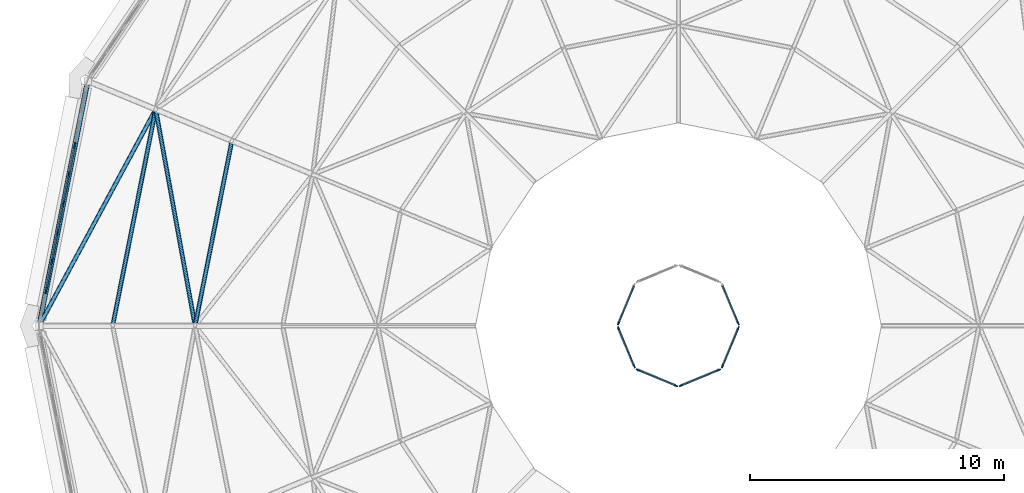
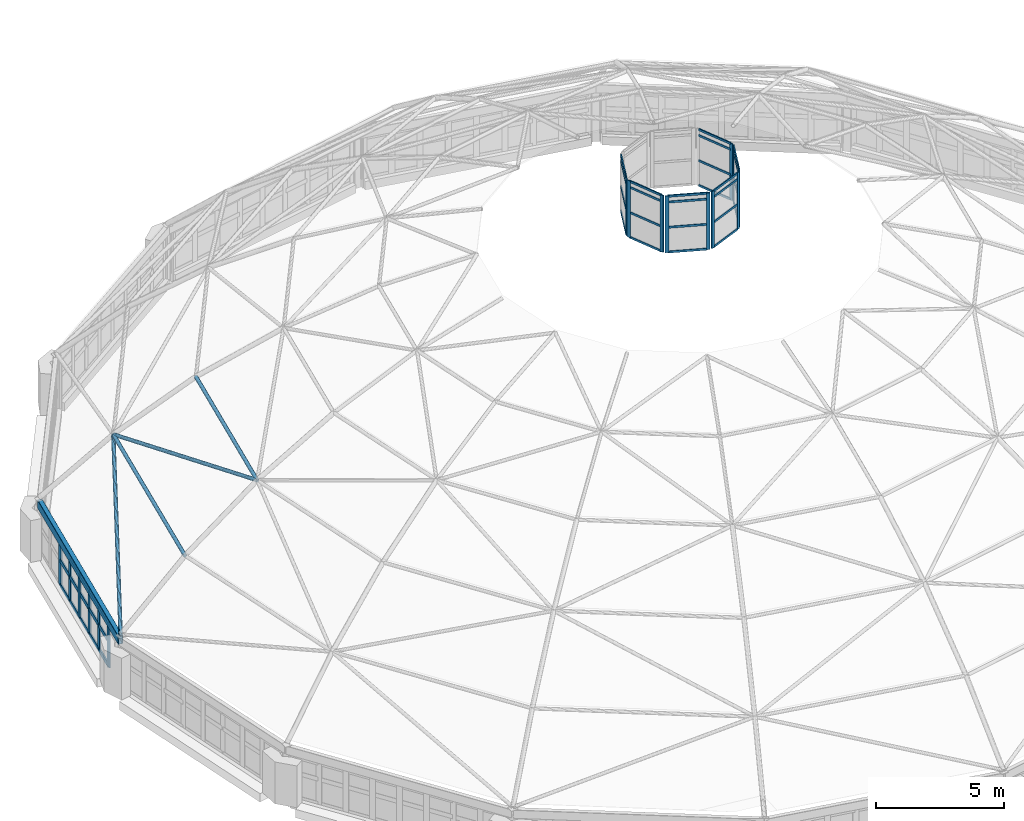
# One storey, part 18 of 68: 58 members, 1 beam, 7 elements without a shape of their own.
"""IFC4 building model written with IfcOpenShell, lengths in metres."""

from ifc_helpers import new_model, si_unit, direction, frame, origin, origin_2d, place, context, subcontext, project, spatial, rectangle, hollow_rectangle, hollow_circle, extrude, material, material_profile, profile_set, type_object, element, aggregate, save


model = new_model("IFC4")

# Units and contexts
model_context = context("Model", 3, precision=1e-05, world=origin(), true_north=direction((0.0, 1.0)))
body_context = subcontext(model_context, "Body", "Model", "MODEL_VIEW")
ifc_project = project(units=[si_unit("LENGTHUNIT", "METRE"), si_unit("AREAUNIT", "SQUARE_METRE"), si_unit("VOLUMEUNIT", "CUBIC_METRE"), si_unit("PLANEANGLEUNIT", "RADIAN"), si_unit("MASSUNIT", "GRAM", prefix="KILO")], contexts=[model_context])

# Site, building, storey
site_placement = place(None, origin())
site = spatial("IfcSite", under=ifc_project, at=site_placement, CompositionType="ELEMENT")
building_placement = place(site_placement, origin())
building = spatial("IfcBuilding", under=site, at=building_placement, Name="Kupolbacken Congress Centre", CompositionType="ELEMENT")
storey_placement = place(building_placement, frame((0.0, 0.0, 25.199951171875)))
storey = spatial("IfcBuildingStorey", under=building, at=storey_placement, Name="L07", CompositionType="ELEMENT", Elevation=25.199951171875)

# Beam
ifc_material_1 = material(Name="Steel S355", Category="steel")
ifc_material_profile_1 = material_profile(ifc_material_1, hollow_rectangle(XDim=0.199951171875, YDim=0.39990234375, WallThickness=0.012451171875, InnerFilletRadius=0.012451171875, OuterFilletRadius=0.018798828125, at=origin_2d()), Name="RHS 400 x 200 x 12.5")
ifc_profile_set_1 = profile_set([ifc_material_profile_1], Name="Steel S355")
beam_type = type_object("IfcBeamType", Name="B19 ring beam RHS 400 x 200 x 12.5", PredefinedType="BEAM", material=ifc_profile_set_1)
beam_placement = place(storey_placement, frame((19.914306640625, 96.024169921875, 2.590087890625), z_axis=(-0.195080454914, -0.98078724304, 0.0), x_axis=(0.98078724304, -0.195080454914, 0.0)))
element("IfcBeam", 1, at=beam_placement, inside=storey, type_object=beam_type, Name="DM/RB/08", PredefinedType="BEAM", context=body_context, shape_type="SweptSolid", body=[
    extrude(hollow_rectangle(XDim=0.199951171875, YDim=0.39990234375, WallThickness=0.012451171875, InnerFilletRadius=0.012451171875, OuterFilletRadius=0.018798828125, at=origin_2d()), origin(), (0.0, 0.0, 1.0), 9.79296875),
])

# Members
ifc_material_2 = material(Name="Steel S355", Category="steel")
ifc_material_profile_2 = material_profile(ifc_material_2, hollow_circle(Radius=0.084228515625, WallThickness=0.008056640625, at=origin_2d()), Name="CHS 168.3 x 8")
ifc_profile_set_2 = profile_set([ifc_material_profile_2], Name="Steel S355")
member_type_1 = type_object("IfcMemberType", Name="M16 dome rib CHS 168.3 x 8", PredefinedType="BRACE", material=ifc_profile_set_2)
member_1_placement = place(storey_placement, frame((22.597412109375, 94.933837890625, 5.60009765625), z_axis=(-0.456427951351, -0.847243324277, -0.271757750016), x_axis=(0.880375652669, -0.474277039491, 0.0)))
element("IfcMember", 2, at=member_1_placement, inside=storey, type_object=member_type_1, Name="DM/DIA01-08", PredefinedType="BRACE", context=body_context, shape_type="SweptSolid", body=[
    extrude(hollow_circle(Radius=0.084228515625, WallThickness=0.008056640625, at=origin_2d()), origin(), (0.0, 0.0, 1.0), 10.072509765625),
])
member_2_placement = place(storey_placement, frame((22.597412109375, 94.933837890625, 5.60009765625), z_axis=(0.172243352288, -0.946810249917, 0.271813499011), x_axis=(0.983852342095, 0.178982035285, 0.0)))
element("IfcMember", 3, at=member_2_placement, inside=storey, type_object=member_type_1, Name="DM/DIA02-08", PredefinedType="BRACE", context=body_context, shape_type="SweptSolid", body=[
    extrude(hollow_circle(Radius=0.084228515625, WallThickness=0.008056640625, at=origin_2d()), origin(), (0.0, 0.0, 1.0), 9.013427734375),
])
ifc_material_3 = material(Name="Steel S355", Category="steel")
ifc_material_profile_3 = material_profile(ifc_material_3, hollow_circle(Radius=0.084228515625, WallThickness=0.008056640625, at=origin_2d()), Name="CHS 168.3 x 8")
ifc_profile_set_3 = profile_set([ifc_material_profile_3], Name="Steel S355")
member_type_2 = type_object("IfcMemberType", Name="M17 dome ring CHS 168.3 x 8", PredefinedType="BRACE", material=ifc_profile_set_3)
member_3_placement = place(storey_placement, frame((22.597412109375, 94.933837890625, 5.60009765625), z_axis=(-0.195090813198, -0.980785182701, 0.0), x_axis=(0.980785182701, -0.195090813198, 0.0)))
element("IfcMember", 4, at=member_3_placement, inside=storey, type_object=member_type_2, Name="DM/RNG01-08", PredefinedType="BRACE", context=body_context, shape_type="SweptSolid", body=[
    extrude(hollow_circle(Radius=0.084228515625, WallThickness=0.008056640625, at=origin_2d()), origin(), (0.0, 0.0, 1.0), 8.701171875),
])
member_4_placement = place(storey_placement, frame((25.60009765625, 93.690185546875, 8.050048828125), z_axis=(-0.195099098992, -0.980783534513, 0.0), x_axis=(0.980783534513, -0.195099098992, 0.0)))
element("IfcMember", 5, at=member_4_placement, inside=storey, type_object=member_type_2, Name="DM/RNG02-08", PredefinedType="BRACE", context=body_context, shape_type="SweptSolid", body=[
    extrude(hollow_circle(Radius=0.084228515625, WallThickness=0.008056640625, at=origin_2d()), origin(), (0.0, 0.0, 1.0), 7.43310546875),
])

# Curtain wall, member
ifc_material_4 = material(Name="Aluminium mullion-transom frame with glass", Category="aluminium")
curtain_wall_type_1 = type_object("IfcCurtainWallType", Name="CW8 curtain wall 2400x3600", PredefinedType="NOTDEFINED", material=ifc_material_4)
curtain_wall_1_placement = place(storey_placement, origin())
curtain_wall_1 = element("IfcCurtainWall", 6, at=curtain_wall_1_placement, inside=storey, type_object=curtain_wall_type_1, Name="DM/LAN/CW01", PredefinedType="NOTDEFINED")
ifc_material_5 = material(Name="Aluminium alloy", Category="aluminium")
ifc_material_profile_4 = material_profile(ifc_material_5, rectangle(XDim=0.050048828125, YDim=0.14990234375, at=origin_2d()), Name="50 x 150")
ifc_profile_set_4 = profile_set([ifc_material_profile_4], Name="Aluminium alloy")
member_type_3 = type_object("IfcMemberType", Name="MU1 mullion 50x150", PredefinedType="MULLION", material=ifc_profile_set_4)
member_5_placement = place(storey_placement, frame((45.558349609375, 86.500732421875, 13.841064453125), z_axis=(0.0, 0.0, 1.0), x_axis=(-0.923879532565, -0.382683432236, 0.0)))
member_5 = element("IfcMember", 7, at=member_5_placement, type_object=member_type_3, Name="CW8 mullion 1", PredefinedType="MULLION", context=body_context, shape_type="SweptSolid", body=[
    extrude(rectangle(XDim=0.050048828125, YDim=0.14990234375, at=origin_2d()), origin(), (0.0, 0.0, 1.0), 2.7001953125),
])

curtain_wall_2_placement = place(storey_placement, origin())
curtain_wall_2 = element("IfcCurtainWall", 8, at=curtain_wall_2_placement, inside=storey, type_object=curtain_wall_type_1, Name="DM/LAN/CW04", PredefinedType="NOTDEFINED")
member_6_placement = place(storey_placement, frame((40.841796875, 86.500732421875, 13.841064453125), z_axis=(0.0, 0.0, 1.0), x_axis=(0.923879532565, -0.382683432236, 0.0)))
member_6 = element("IfcMember", 9, at=member_6_placement, type_object=member_type_3, Name="CW8 mullion 2", PredefinedType="MULLION", context=body_context, shape_type="SweptSolid", body=[
    extrude(rectangle(XDim=0.050048828125, YDim=0.14990234375, at=origin_2d()), origin(), (0.0, 0.0, 1.0), 2.7001953125),
])

# Curtain wall, members
curtain_wall_3_placement = place(storey_placement, origin())
curtain_wall_3 = element("IfcCurtainWall", 10, at=curtain_wall_3_placement, inside=storey, type_object=curtain_wall_type_1, Name="DM/LAN/CW05", PredefinedType="NOTDEFINED")
member_7_placement = place(storey_placement, frame((40.841796875, 86.299072265625, 13.841064453125), z_axis=(0.0, 0.0, 1.0), x_axis=(0.923879532565, 0.382683432236, 0.0)))
member_7 = element("IfcMember", 11, at=member_7_placement, type_object=member_type_3, Name="CW8 mullion 1", PredefinedType="MULLION", context=body_context, shape_type="SweptSolid", body=[
    extrude(rectangle(XDim=0.050048828125, YDim=0.14990234375, at=origin_2d()), origin(), (0.0, 0.0, 1.0), 2.7001953125),
])
member_8_placement = place(storey_placement, frame((41.461181640625, 84.8037109375, 13.841064453125), z_axis=(0.0, 0.0, 1.0), x_axis=(0.923879532565, 0.382683432236, 0.0)))
member_8 = element("IfcMember", 12, at=member_8_placement, type_object=member_type_3, Name="CW8 mullion 2", PredefinedType="MULLION", context=body_context, shape_type="SweptSolid", body=[
    extrude(rectangle(XDim=0.050048828125, YDim=0.14990234375, at=origin_2d()), origin(), (0.0, 0.0, 1.0), 2.7001953125),
])

curtain_wall_4_placement = place(storey_placement, origin())
curtain_wall_4 = element("IfcCurtainWall", 13, at=curtain_wall_4_placement, inside=storey, type_object=curtain_wall_type_1, Name="DM/LAN/CW06", PredefinedType="NOTDEFINED")
member_9_placement = place(storey_placement, frame((41.603759765625, 84.6611328125, 13.841064453125), z_axis=(0.0, 0.0, 1.0), x_axis=(0.382683432236, 0.923879532565, 0.0)))
member_9 = element("IfcMember", 14, at=member_9_placement, type_object=member_type_3, Name="CW8 mullion 1", PredefinedType="MULLION", context=body_context, shape_type="SweptSolid", body=[
    extrude(rectangle(XDim=0.050048828125, YDim=0.14990234375, at=origin_2d()), origin(), (0.0, 0.0, 1.0), 2.7001953125),
])
member_10_placement = place(storey_placement, frame((43.09912109375, 84.041748046875, 13.841064453125), z_axis=(0.0, 0.0, 1.0), x_axis=(0.382683432236, 0.923879532565, 0.0)))
member_10 = element("IfcMember", 15, at=member_10_placement, type_object=member_type_3, Name="CW8 mullion 2", PredefinedType="MULLION", context=body_context, shape_type="SweptSolid", body=[
    extrude(rectangle(XDim=0.050048828125, YDim=0.14990234375, at=origin_2d()), origin(), (0.0, 0.0, 1.0), 2.7001953125),
])

curtain_wall_5_placement = place(storey_placement, origin())
curtain_wall_5 = element("IfcCurtainWall", 16, at=curtain_wall_5_placement, inside=storey, type_object=curtain_wall_type_1, Name="DM/LAN/CW07", PredefinedType="NOTDEFINED")
member_11_placement = place(storey_placement, frame((43.30078125, 84.041748046875, 13.841064453125), z_axis=(0.0, 0.0, 1.0), x_axis=(-0.382683432236, 0.923879532565, 0.0)))
member_11 = element("IfcMember", 17, at=member_11_placement, type_object=member_type_3, Name="CW8 mullion 1", PredefinedType="MULLION", context=body_context, shape_type="SweptSolid", body=[
    extrude(rectangle(XDim=0.050048828125, YDim=0.14990234375, at=origin_2d()), origin(), (0.0, 0.0, 1.0), 2.7001953125),
])
member_12_placement = place(storey_placement, frame((44.796142578125, 84.6611328125, 13.841064453125), z_axis=(0.0, 0.0, 1.0), x_axis=(-0.382683432236, 0.923879532565, 0.0)))
member_12 = element("IfcMember", 18, at=member_12_placement, type_object=member_type_3, Name="CW8 mullion 2", PredefinedType="MULLION", context=body_context, shape_type="SweptSolid", body=[
    extrude(rectangle(XDim=0.050048828125, YDim=0.14990234375, at=origin_2d()), origin(), (0.0, 0.0, 1.0), 2.7001953125),
])

curtain_wall_6_placement = place(storey_placement, origin())
curtain_wall_6 = element("IfcCurtainWall", 19, at=curtain_wall_6_placement, inside=storey, type_object=curtain_wall_type_1, Name="DM/LAN/CW08", PredefinedType="NOTDEFINED")
member_13_placement = place(storey_placement, frame((44.938720703125, 84.8037109375, 13.841064453125), z_axis=(0.0, 0.0, 1.0), x_axis=(-0.923879532565, 0.382683432236, 0.0)))
member_13 = element("IfcMember", 20, at=member_13_placement, type_object=member_type_3, Name="CW8 mullion 1", PredefinedType="MULLION", context=body_context, shape_type="SweptSolid", body=[
    extrude(rectangle(XDim=0.050048828125, YDim=0.14990234375, at=origin_2d()), origin(), (0.0, 0.0, 1.0), 2.7001953125),
])
member_14_placement = place(storey_placement, frame((45.558349609375, 86.299072265625, 13.841064453125), z_axis=(0.0, 0.0, 1.0), x_axis=(-0.923879532565, 0.382683432236, 0.0)))
member_14 = element("IfcMember", 21, at=member_14_placement, type_object=member_type_3, Name="CW8 mullion 2", PredefinedType="MULLION", context=body_context, shape_type="SweptSolid", body=[
    extrude(rectangle(XDim=0.050048828125, YDim=0.14990234375, at=origin_2d()), origin(), (0.0, 0.0, 1.0), 2.7001953125),
])

ifc_material_6 = material(Name="Aluminium mullion-transom frame with glass", Category="aluminium")
curtain_wall_type_2 = type_object("IfcCurtainWallType", Name="CW3 curtain wall 9830x3600", PredefinedType="NOTDEFINED", material=ifc_material_6)
curtain_wall_7_placement = place(storey_placement, origin())
curtain_wall_7 = element("IfcCurtainWall", 22, at=curtain_wall_7_placement, inside=storey, type_object=curtain_wall_type_2, Name="E/P/drum/cw/L07/15", PredefinedType="NOTDEFINED")
ifc_material_7 = material(Name="Aluminium alloy", Category="aluminium")
ifc_material_profile_5 = material_profile(ifc_material_7, rectangle(XDim=0.06005859375, YDim=0.25, at=origin_2d()), Name="60 x 250")
ifc_profile_set_5 = profile_set([ifc_material_profile_5], Name="Aluminium alloy")
member_type_4 = type_object("IfcMemberType", Name="MU3 mullion 60x250", PredefinedType="MULLION", material=ifc_profile_set_5)
member_15_placement = place(storey_placement, frame((19.40087890625, 93.514892578125, 0.400146484375), z_axis=(0.0, 0.0, 1.0), x_axis=(0.981162875481, -0.193182327812, 0.0)))
member_15 = element("IfcMember", 23, at=member_15_placement, type_object=member_type_4, Name="CW3 mullion 3", PredefinedType="MULLION", context=body_context, shape_type="SweptSolid", body=[
    extrude(rectangle(XDim=0.06005859375, YDim=0.25, at=origin_2d()), origin(), (0.0, 0.0, 1.0), 1.989990234375),
])
member_16_placement = place(storey_placement, frame((19.175537109375, 92.369873046875, 0.400146484375), z_axis=(0.0, 0.0, 1.0), x_axis=(0.981162875481, -0.193182327812, 0.0)))
member_16 = element("IfcMember", 24, at=member_16_placement, type_object=member_type_4, Name="CW3 mullion 4", PredefinedType="MULLION", context=body_context, shape_type="SweptSolid", body=[
    extrude(rectangle(XDim=0.06005859375, YDim=0.25, at=origin_2d()), origin(), (0.0, 0.0, 1.0), 1.989990234375),
])
member_17_placement = place(storey_placement, frame((18.949951171875, 91.22509765625, 0.400146484375), z_axis=(0.0, 0.0, 1.0), x_axis=(0.981162875481, -0.193182327812, 0.0)))
member_17 = element("IfcMember", 25, at=member_17_placement, type_object=member_type_4, Name="CW3 mullion 5", PredefinedType="MULLION", context=body_context, shape_type="SweptSolid", body=[
    extrude(rectangle(XDim=0.06005859375, YDim=0.25, at=origin_2d()), origin(), (0.0, 0.0, 1.0), 1.989990234375),
])
member_18_placement = place(storey_placement, frame((18.724609375, 90.080078125, 0.400146484375), z_axis=(0.0, 0.0, 1.0), x_axis=(0.981162875481, -0.193182327812, 0.0)))
member_18 = element("IfcMember", 26, at=member_18_placement, type_object=member_type_4, Name="CW3 mullion 6", PredefinedType="MULLION", context=body_context, shape_type="SweptSolid", body=[
    extrude(rectangle(XDim=0.06005859375, YDim=0.25, at=origin_2d()), origin(), (0.0, 0.0, 1.0), 1.989990234375),
])
member_19_placement = place(storey_placement, frame((18.499267578125, 88.93505859375, 0.400146484375), z_axis=(0.0, 0.0, 1.0), x_axis=(0.981162875481, -0.193182327812, 0.0)))
member_19 = element("IfcMember", 27, at=member_19_placement, type_object=member_type_4, Name="CW3 mullion 7", PredefinedType="MULLION", context=body_context, shape_type="SweptSolid", body=[
    extrude(rectangle(XDim=0.06005859375, YDim=0.25, at=origin_2d()), origin(), (0.0, 0.0, 1.0), 1.989990234375),
])
member_20_placement = place(storey_placement, frame((18.273681640625, 87.790283203125, 0.400146484375), z_axis=(0.0, 0.0, 1.0), x_axis=(0.981162875481, -0.193182327812, 0.0)))
member_20 = element("IfcMember", 28, at=member_20_placement, type_object=member_type_4, Name="CW3 mullion 8", PredefinedType="MULLION", context=body_context, shape_type="SweptSolid", body=[
    extrude(rectangle(XDim=0.06005859375, YDim=0.25, at=origin_2d()), origin(), (0.0, 0.0, 1.0), 1.989990234375),
])

# Member
ifc_material_8 = material(Name="Aluminium alloy", Category="aluminium")
ifc_material_profile_6 = material_profile(ifc_material_8, rectangle(XDim=0.050048828125, YDim=0.10009765625, at=origin_2d()), Name="50 x 100")
ifc_profile_set_6 = profile_set([ifc_material_profile_6], Name="Aluminium alloy")
member_type_5 = type_object("IfcMemberType", Name="TR1 transom 50x100", PredefinedType="MULLION", material=ifc_profile_set_6)
member_21_placement = place(storey_placement, frame((45.548583984375, 86.52392578125, 13.8662109375), z_axis=(-0.382580906344, 0.923921993515, 0.0), x_axis=(-0.923921993515, -0.382580906344, 0.0)))
member_21 = element("IfcMember", 29, at=member_21_placement, type_object=member_type_5, Name="CW8 transom 1.1", PredefinedType="MULLION", context=body_context, shape_type="SweptSolid", body=[
    extrude(rectangle(XDim=0.050048828125, YDim=0.10009765625, at=origin_2d()), origin(), (0.0, 0.0, 1.0), 1.568603515625),
])

member_22_placement = place(storey_placement, frame((45.548583984375, 86.52392578125, 15.041259765625), z_axis=(-0.382580906344, 0.923921993515, 0.0), x_axis=(-0.923921993515, -0.382580906344, 0.0)))
member_22 = element("IfcMember", 30, at=member_22_placement, type_object=member_type_5, Name="CW8 transom 1.2", PredefinedType="MULLION", context=body_context, shape_type="SweptSolid", body=[
    extrude(rectangle(XDim=0.050048828125, YDim=0.10009765625, at=origin_2d()), origin(), (0.0, 0.0, 1.0), 1.568603515625),
])

member_23_placement = place(storey_placement, frame((45.548583984375, 86.52392578125, 16.2412109375), z_axis=(-0.382580906344, 0.923921993515, 0.0), x_axis=(-0.923921993515, -0.382580906344, 0.0)))
member_23 = element("IfcMember", 31, at=member_23_placement, type_object=member_type_5, Name="CW8 transom 1.3", PredefinedType="MULLION", context=body_context, shape_type="SweptSolid", body=[
    extrude(rectangle(XDim=0.050048828125, YDim=0.10009765625, at=origin_2d()), origin(), (0.0, 0.0, 1.0), 1.568603515625),
])

member_24_placement = place(storey_placement, frame((45.548583984375, 86.52392578125, 16.51611328125), z_axis=(-0.382580906344, 0.923921993515, 0.0), x_axis=(-0.923921993515, -0.382580906344, 0.0)))
member_24 = element("IfcMember", 32, at=member_24_placement, type_object=member_type_5, Name="CW8 transom 1.4", PredefinedType="MULLION", context=body_context, shape_type="SweptSolid", body=[
    extrude(rectangle(XDim=0.050048828125, YDim=0.10009765625, at=origin_2d()), origin(), (0.0, 0.0, 1.0), 1.568603515625),
])

aggregate(curtain_wall_1, [member_5, member_21, member_22, member_23, member_24])

member_25_placement = place(storey_placement, frame((41.45166015625, 87.97314453125, 13.8662109375), z_axis=(-0.382713759914, -0.923866969846, 0.0), x_axis=(0.923866969846, -0.382713759914, 0.0)))
member_25 = element("IfcMember", 33, at=member_25_placement, type_object=member_type_5, Name="CW8 transom 1.1", PredefinedType="MULLION", context=body_context, shape_type="SweptSolid", body=[
    extrude(rectangle(XDim=0.050048828125, YDim=0.10009765625, at=origin_2d()), origin(), (0.0, 0.0, 1.0), 1.568603515625),
])

member_26_placement = place(storey_placement, frame((41.45166015625, 87.97314453125, 15.041259765625), z_axis=(-0.382713759914, -0.923866969846, 0.0), x_axis=(0.923866969846, -0.382713759914, 0.0)))
member_26 = element("IfcMember", 34, at=member_26_placement, type_object=member_type_5, Name="CW8 transom 1.2", PredefinedType="MULLION", context=body_context, shape_type="SweptSolid", body=[
    extrude(rectangle(XDim=0.050048828125, YDim=0.10009765625, at=origin_2d()), origin(), (0.0, 0.0, 1.0), 1.568603515625),
])

member_27_placement = place(storey_placement, frame((41.45166015625, 87.97314453125, 16.2412109375), z_axis=(-0.382713759914, -0.923866969846, 0.0), x_axis=(0.923866969846, -0.382713759914, 0.0)))
member_27 = element("IfcMember", 35, at=member_27_placement, type_object=member_type_5, Name="CW8 transom 1.3", PredefinedType="MULLION", context=body_context, shape_type="SweptSolid", body=[
    extrude(rectangle(XDim=0.050048828125, YDim=0.10009765625, at=origin_2d()), origin(), (0.0, 0.0, 1.0), 1.568603515625),
])

member_28_placement = place(storey_placement, frame((41.45166015625, 87.97314453125, 16.51611328125), z_axis=(-0.382713759914, -0.923866969846, 0.0), x_axis=(0.923866969846, -0.382713759914, 0.0)))
member_28 = element("IfcMember", 36, at=member_28_placement, type_object=member_type_5, Name="CW8 transom 1.4", PredefinedType="MULLION", context=body_context, shape_type="SweptSolid", body=[
    extrude(rectangle(XDim=0.050048828125, YDim=0.10009765625, at=origin_2d()), origin(), (0.0, 0.0, 1.0), 1.568603515625),
])

aggregate(curtain_wall_2, [member_6, member_25, member_26, member_27, member_28])

member_29_placement = place(storey_placement, frame((40.851318359375, 86.276123046875, 13.8662109375), z_axis=(0.382713759914, -0.923866969846, 0.0), x_axis=(0.923866969846, 0.382713759914, 0.0)))
member_29 = element("IfcMember", 37, at=member_29_placement, type_object=member_type_5, Name="CW8 transom 1.1", PredefinedType="MULLION", context=body_context, shape_type="SweptSolid", body=[
    extrude(rectangle(XDim=0.050048828125, YDim=0.10009765625, at=origin_2d()), origin(), (0.0, 0.0, 1.0), 1.568603515625),
])

member_30_placement = place(storey_placement, frame((40.851318359375, 86.276123046875, 15.041259765625), z_axis=(0.382713759914, -0.923866969846, 0.0), x_axis=(0.923866969846, 0.382713759914, 0.0)))
member_30 = element("IfcMember", 38, at=member_30_placement, type_object=member_type_5, Name="CW8 transom 1.2", PredefinedType="MULLION", context=body_context, shape_type="SweptSolid", body=[
    extrude(rectangle(XDim=0.050048828125, YDim=0.10009765625, at=origin_2d()), origin(), (0.0, 0.0, 1.0), 1.568603515625),
])

member_31_placement = place(storey_placement, frame((40.851318359375, 86.276123046875, 16.2412109375), z_axis=(0.382713759914, -0.923866969846, 0.0), x_axis=(0.923866969846, 0.382713759914, 0.0)))
member_31 = element("IfcMember", 39, at=member_31_placement, type_object=member_type_5, Name="CW8 transom 1.3", PredefinedType="MULLION", context=body_context, shape_type="SweptSolid", body=[
    extrude(rectangle(XDim=0.050048828125, YDim=0.10009765625, at=origin_2d()), origin(), (0.0, 0.0, 1.0), 1.568603515625),
])

member_32_placement = place(storey_placement, frame((40.851318359375, 86.276123046875, 16.51611328125), z_axis=(0.382713759914, -0.923866969846, 0.0), x_axis=(0.923866969846, 0.382713759914, 0.0)))
member_32 = element("IfcMember", 40, at=member_32_placement, type_object=member_type_5, Name="CW8 transom 1.4", PredefinedType="MULLION", context=body_context, shape_type="SweptSolid", body=[
    extrude(rectangle(XDim=0.050048828125, YDim=0.10009765625, at=origin_2d()), origin(), (0.0, 0.0, 1.0), 1.568603515625),
])

aggregate(curtain_wall_3, [member_7, member_8, member_29, member_30, member_31, member_32])

member_33_placement = place(storey_placement, frame((41.626953125, 84.651611328125, 13.8662109375), z_axis=(0.923866969846, -0.382713759914, 0.0), x_axis=(0.382713759914, 0.923866969846, 0.0)))
member_33 = element("IfcMember", 41, at=member_33_placement, type_object=member_type_5, Name="CW8 transom 1.1", PredefinedType="MULLION", context=body_context, shape_type="SweptSolid", body=[
    extrude(rectangle(XDim=0.050048828125, YDim=0.10009765625, at=origin_2d()), origin(), (0.0, 0.0, 1.0), 1.568603515625),
])

member_34_placement = place(storey_placement, frame((41.626953125, 84.651611328125, 15.041259765625), z_axis=(0.923866969846, -0.382713759914, 0.0), x_axis=(0.382713759914, 0.923866969846, 0.0)))
member_34 = element("IfcMember", 42, at=member_34_placement, type_object=member_type_5, Name="CW8 transom 1.2", PredefinedType="MULLION", context=body_context, shape_type="SweptSolid", body=[
    extrude(rectangle(XDim=0.050048828125, YDim=0.10009765625, at=origin_2d()), origin(), (0.0, 0.0, 1.0), 1.568603515625),
])

member_35_placement = place(storey_placement, frame((41.626953125, 84.651611328125, 16.2412109375), z_axis=(0.923866969846, -0.382713759914, 0.0), x_axis=(0.382713759914, 0.923866969846, 0.0)))
member_35 = element("IfcMember", 43, at=member_35_placement, type_object=member_type_5, Name="CW8 transom 1.3", PredefinedType="MULLION", context=body_context, shape_type="SweptSolid", body=[
    extrude(rectangle(XDim=0.050048828125, YDim=0.10009765625, at=origin_2d()), origin(), (0.0, 0.0, 1.0), 1.568603515625),
])

member_36_placement = place(storey_placement, frame((41.626953125, 84.651611328125, 16.51611328125), z_axis=(0.923866969846, -0.382713759914, 0.0), x_axis=(0.382713759914, 0.923866969846, 0.0)))
member_36 = element("IfcMember", 44, at=member_36_placement, type_object=member_type_5, Name="CW8 transom 1.4", PredefinedType="MULLION", context=body_context, shape_type="SweptSolid", body=[
    extrude(rectangle(XDim=0.050048828125, YDim=0.10009765625, at=origin_2d()), origin(), (0.0, 0.0, 1.0), 1.568603515625),
])

aggregate(curtain_wall_4, [member_9, member_10, member_33, member_34, member_35, member_36])

member_37_placement = place(storey_placement, frame((43.323974609375, 84.05126953125, 13.8662109375), z_axis=(0.923866969846, 0.382713759914, 0.0), x_axis=(-0.382713759914, 0.923866969846, 0.0)))
member_37 = element("IfcMember", 45, at=member_37_placement, type_object=member_type_5, Name="CW8 transom 1.1", PredefinedType="MULLION", context=body_context, shape_type="SweptSolid", body=[
    extrude(rectangle(XDim=0.050048828125, YDim=0.10009765625, at=origin_2d()), origin(), (0.0, 0.0, 1.0), 1.568603515625),
])

member_38_placement = place(storey_placement, frame((43.323974609375, 84.05126953125, 15.041259765625), z_axis=(0.923866969846, 0.382713759914, 0.0), x_axis=(-0.382713759914, 0.923866969846, 0.0)))
member_38 = element("IfcMember", 46, at=member_38_placement, type_object=member_type_5, Name="CW8 transom 1.2", PredefinedType="MULLION", context=body_context, shape_type="SweptSolid", body=[
    extrude(rectangle(XDim=0.050048828125, YDim=0.10009765625, at=origin_2d()), origin(), (0.0, 0.0, 1.0), 1.568603515625),
])

member_39_placement = place(storey_placement, frame((43.323974609375, 84.05126953125, 16.2412109375), z_axis=(0.923866969846, 0.382713759914, 0.0), x_axis=(-0.382713759914, 0.923866969846, 0.0)))
member_39 = element("IfcMember", 47, at=member_39_placement, type_object=member_type_5, Name="CW8 transom 1.3", PredefinedType="MULLION", context=body_context, shape_type="SweptSolid", body=[
    extrude(rectangle(XDim=0.050048828125, YDim=0.10009765625, at=origin_2d()), origin(), (0.0, 0.0, 1.0), 1.568603515625),
])

member_40_placement = place(storey_placement, frame((43.323974609375, 84.05126953125, 16.51611328125), z_axis=(0.923866969846, 0.382713759914, 0.0), x_axis=(-0.382713759914, 0.923866969846, 0.0)))
member_40 = element("IfcMember", 48, at=member_40_placement, type_object=member_type_5, Name="CW8 transom 1.4", PredefinedType="MULLION", context=body_context, shape_type="SweptSolid", body=[
    extrude(rectangle(XDim=0.050048828125, YDim=0.10009765625, at=origin_2d()), origin(), (0.0, 0.0, 1.0), 1.568603515625),
])

aggregate(curtain_wall_5, [member_11, member_12, member_37, member_38, member_39, member_40])

member_41_placement = place(storey_placement, frame((44.948486328125, 84.826904296875, 13.8662109375), z_axis=(0.382580906344, 0.923921993515, 0.0), x_axis=(-0.923921993515, 0.382580906344, 0.0)))
member_41 = element("IfcMember", 49, at=member_41_placement, type_object=member_type_5, Name="CW8 transom 1.1", PredefinedType="MULLION", context=body_context, shape_type="SweptSolid", body=[
    extrude(rectangle(XDim=0.050048828125, YDim=0.10009765625, at=origin_2d()), origin(), (0.0, 0.0, 1.0), 1.568603515625),
])

member_42_placement = place(storey_placement, frame((44.948486328125, 84.826904296875, 15.041259765625), z_axis=(0.382580906344, 0.923921993515, 0.0), x_axis=(-0.923921993515, 0.382580906344, 0.0)))
member_42 = element("IfcMember", 50, at=member_42_placement, type_object=member_type_5, Name="CW8 transom 1.2", PredefinedType="MULLION", context=body_context, shape_type="SweptSolid", body=[
    extrude(rectangle(XDim=0.050048828125, YDim=0.10009765625, at=origin_2d()), origin(), (0.0, 0.0, 1.0), 1.568603515625),
])

member_43_placement = place(storey_placement, frame((44.948486328125, 84.826904296875, 16.2412109375), z_axis=(0.382580906344, 0.923921993515, 0.0), x_axis=(-0.923921993515, 0.382580906344, 0.0)))
member_43 = element("IfcMember", 51, at=member_43_placement, type_object=member_type_5, Name="CW8 transom 1.3", PredefinedType="MULLION", context=body_context, shape_type="SweptSolid", body=[
    extrude(rectangle(XDim=0.050048828125, YDim=0.10009765625, at=origin_2d()), origin(), (0.0, 0.0, 1.0), 1.568603515625),
])

member_44_placement = place(storey_placement, frame((44.948486328125, 84.826904296875, 16.51611328125), z_axis=(0.382580906344, 0.923921993515, 0.0), x_axis=(-0.923921993515, 0.382580906344, 0.0)))
member_44 = element("IfcMember", 52, at=member_44_placement, type_object=member_type_5, Name="CW8 transom 1.4", PredefinedType="MULLION", context=body_context, shape_type="SweptSolid", body=[
    extrude(rectangle(XDim=0.050048828125, YDim=0.10009765625, at=origin_2d()), origin(), (0.0, 0.0, 1.0), 1.568603515625),
])

aggregate(curtain_wall_6, [member_13, member_14, member_41, member_42, member_43, member_44])

ifc_material_9 = material(Name="Aluminium alloy", Category="aluminium")
ifc_material_profile_7 = material_profile(ifc_material_9, rectangle(XDim=0.06005859375, YDim=0.199951171875, at=origin_2d()), Name="60 x 200")
ifc_profile_set_7 = profile_set([ifc_material_profile_7], Name="Aluminium alloy")
member_type_6 = type_object("IfcMemberType", Name="TR3 transom 60x200", PredefinedType="MULLION", material=ifc_profile_set_7)
member_45_placement = place(storey_placement, frame((19.39501953125, 93.4853515625, 0.429931640625), z_axis=(-0.193230739208, -0.981153342462, 0.0), x_axis=(0.981153342462, -0.193230739208, 0.0)))
member_45 = element("IfcMember", 53, at=member_45_placement, type_object=member_type_6, Name="CW3 transom 3.1", PredefinedType="MULLION", context=body_context, shape_type="SweptSolid", body=[
    extrude(rectangle(XDim=0.06005859375, YDim=0.199951171875, at=origin_2d()), origin(), (0.0, 0.0, 1.0), 1.106689453125),
])

member_46_placement = place(storey_placement, frame((19.39501953125, 93.4853515625, 1.60009765625), z_axis=(-0.193230739208, -0.981153342462, 0.0), x_axis=(0.981153342462, -0.193230739208, 0.0)))
member_46 = element("IfcMember", 54, at=member_46_placement, type_object=member_type_6, Name="CW3 transom 3.2", PredefinedType="MULLION", context=body_context, shape_type="SweptSolid", body=[
    extrude(rectangle(XDim=0.06005859375, YDim=0.199951171875, at=origin_2d()), origin(), (0.0, 0.0, 1.0), 1.106689453125),
])

member_47_placement = place(storey_placement, frame((19.169677734375, 92.340576171875, 0.429931640625), z_axis=(-0.193188927968, -0.981161575945, 0.0), x_axis=(0.981161575945, -0.193188927968, 0.0)))
member_47 = element("IfcMember", 55, at=member_47_placement, type_object=member_type_6, Name="CW3 transom 4.1", PredefinedType="MULLION", context=body_context, shape_type="SweptSolid", body=[
    extrude(rectangle(XDim=0.06005859375, YDim=0.199951171875, at=origin_2d()), origin(), (0.0, 0.0, 1.0), 1.10693359375),
])

member_48_placement = place(storey_placement, frame((19.169677734375, 92.340576171875, 1.60009765625), z_axis=(-0.193188927968, -0.981161575945, 0.0), x_axis=(0.981161575945, -0.193188927968, 0.0)))
member_48 = element("IfcMember", 56, at=member_48_placement, type_object=member_type_6, Name="CW3 transom 4.2", PredefinedType="MULLION", context=body_context, shape_type="SweptSolid", body=[
    extrude(rectangle(XDim=0.06005859375, YDim=0.199951171875, at=origin_2d()), origin(), (0.0, 0.0, 1.0), 1.10693359375),
])

member_49_placement = place(storey_placement, frame((19.169677734375, 92.340576171875, 2.360107421875), z_axis=(-0.193188927968, -0.981161575945, 0.0), x_axis=(0.981161575945, -0.193188927968, 0.0)))
member_49 = element("IfcMember", 57, at=member_49_placement, type_object=member_type_6, Name="CW3 transom 4.3", PredefinedType="MULLION", context=body_context, shape_type="SweptSolid", body=[
    extrude(rectangle(XDim=0.06005859375, YDim=0.199951171875, at=origin_2d()), origin(), (0.0, 0.0, 1.0), 1.10693359375),
])

member_50_placement = place(storey_placement, frame((18.944091796875, 91.195556640625, 0.429931640625), z_axis=(-0.193018378756, -0.981195141377, 0.0), x_axis=(0.981195141377, -0.193018378756, 0.0)))
member_50 = element("IfcMember", 58, at=member_50_placement, type_object=member_type_6, Name="CW3 transom 5.1", PredefinedType="MULLION", context=body_context, shape_type="SweptSolid", body=[
    extrude(rectangle(XDim=0.06005859375, YDim=0.199951171875, at=origin_2d()), origin(), (0.0, 0.0, 1.0), 1.106689453125),
])

member_51_placement = place(storey_placement, frame((18.944091796875, 91.195556640625, 1.60009765625), z_axis=(-0.193018378756, -0.981195141377, 0.0), x_axis=(0.981195141377, -0.193018378756, 0.0)))
member_51 = element("IfcMember", 59, at=member_51_placement, type_object=member_type_6, Name="CW3 transom 5.2", PredefinedType="MULLION", context=body_context, shape_type="SweptSolid", body=[
    extrude(rectangle(XDim=0.06005859375, YDim=0.199951171875, at=origin_2d()), origin(), (0.0, 0.0, 1.0), 1.106689453125),
])

member_52_placement = place(storey_placement, frame((18.944091796875, 91.195556640625, 2.360107421875), z_axis=(-0.193018378756, -0.981195141377, 0.0), x_axis=(0.981195141377, -0.193018378756, 0.0)))
member_52 = element("IfcMember", 60, at=member_52_placement, type_object=member_type_6, Name="CW3 transom 5.3", PredefinedType="MULLION", context=body_context, shape_type="SweptSolid", body=[
    extrude(rectangle(XDim=0.06005859375, YDim=0.199951171875, at=origin_2d()), origin(), (0.0, 0.0, 1.0), 1.106689453125),
])

member_53_placement = place(storey_placement, frame((18.71875, 90.050537109375, 0.429931640625), z_axis=(-0.193230739208, -0.981153342462, 0.0), x_axis=(0.981153342462, -0.193230739208, 0.0)))
member_53 = element("IfcMember", 61, at=member_53_placement, type_object=member_type_6, Name="CW3 transom 6.1", PredefinedType="MULLION", context=body_context, shape_type="SweptSolid", body=[
    extrude(rectangle(XDim=0.06005859375, YDim=0.199951171875, at=origin_2d()), origin(), (0.0, 0.0, 1.0), 1.106689453125),
])

member_54_placement = place(storey_placement, frame((18.71875, 90.050537109375, 1.60009765625), z_axis=(-0.193230739208, -0.981153342462, 0.0), x_axis=(0.981153342462, -0.193230739208, 0.0)))
member_54 = element("IfcMember", 62, at=member_54_placement, type_object=member_type_6, Name="CW3 transom 6.2", PredefinedType="MULLION", context=body_context, shape_type="SweptSolid", body=[
    extrude(rectangle(XDim=0.06005859375, YDim=0.199951171875, at=origin_2d()), origin(), (0.0, 0.0, 1.0), 1.106689453125),
])

member_55_placement = place(storey_placement, frame((18.71875, 90.050537109375, 2.360107421875), z_axis=(-0.193230739208, -0.981153342462, 0.0), x_axis=(0.981153342462, -0.193230739208, 0.0)))
member_55 = element("IfcMember", 63, at=member_55_placement, type_object=member_type_6, Name="CW3 transom 6.3", PredefinedType="MULLION", context=body_context, shape_type="SweptSolid", body=[
    extrude(rectangle(XDim=0.06005859375, YDim=0.199951171875, at=origin_2d()), origin(), (0.0, 0.0, 1.0), 1.106689453125),
])

member_56_placement = place(storey_placement, frame((18.493408203125, 88.90576171875, 0.429931640625), z_axis=(-0.193188927968, -0.981161575945, 0.0), x_axis=(0.981161575945, -0.193188927968, 0.0)))
member_56 = element("IfcMember", 64, at=member_56_placement, type_object=member_type_6, Name="CW3 transom 7.1", PredefinedType="MULLION", context=body_context, shape_type="SweptSolid", body=[
    extrude(rectangle(XDim=0.06005859375, YDim=0.199951171875, at=origin_2d()), origin(), (0.0, 0.0, 1.0), 1.10693359375),
])

member_57_placement = place(storey_placement, frame((18.493408203125, 88.90576171875, 1.60009765625), z_axis=(-0.193188927968, -0.981161575945, 0.0), x_axis=(0.981161575945, -0.193188927968, 0.0)))
member_57 = element("IfcMember", 65, at=member_57_placement, type_object=member_type_6, Name="CW3 transom 7.2", PredefinedType="MULLION", context=body_context, shape_type="SweptSolid", body=[
    extrude(rectangle(XDim=0.06005859375, YDim=0.199951171875, at=origin_2d()), origin(), (0.0, 0.0, 1.0), 1.10693359375),
])

member_58_placement = place(storey_placement, frame((18.493408203125, 88.90576171875, 2.360107421875), z_axis=(-0.193188927968, -0.981161575945, 0.0), x_axis=(0.981161575945, -0.193188927968, 0.0)))
member_58 = element("IfcMember", 66, at=member_58_placement, type_object=member_type_6, Name="CW3 transom 7.3", PredefinedType="MULLION", context=body_context, shape_type="SweptSolid", body=[
    extrude(rectangle(XDim=0.06005859375, YDim=0.199951171875, at=origin_2d()), origin(), (0.0, 0.0, 1.0), 1.10693359375),
])

aggregate(curtain_wall_7, [member_15, member_16, member_17, member_18, member_19, member_20, member_45, member_46, member_47, member_48, member_49, member_50, member_51, member_52, member_53, member_54, member_55, member_56, member_57, member_58])

save(model, "model.ifc")
